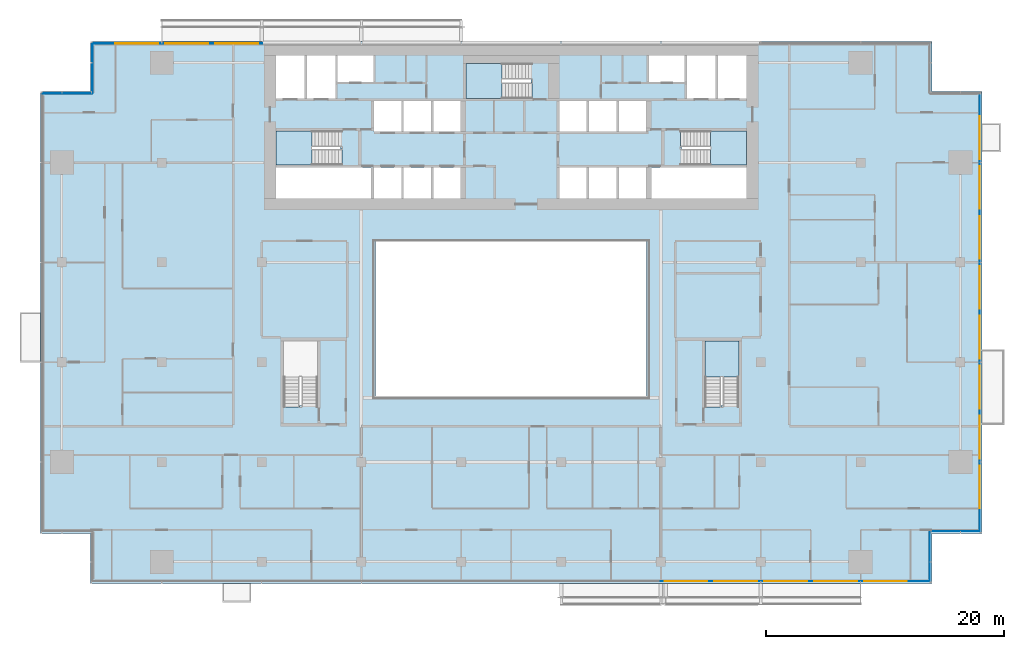
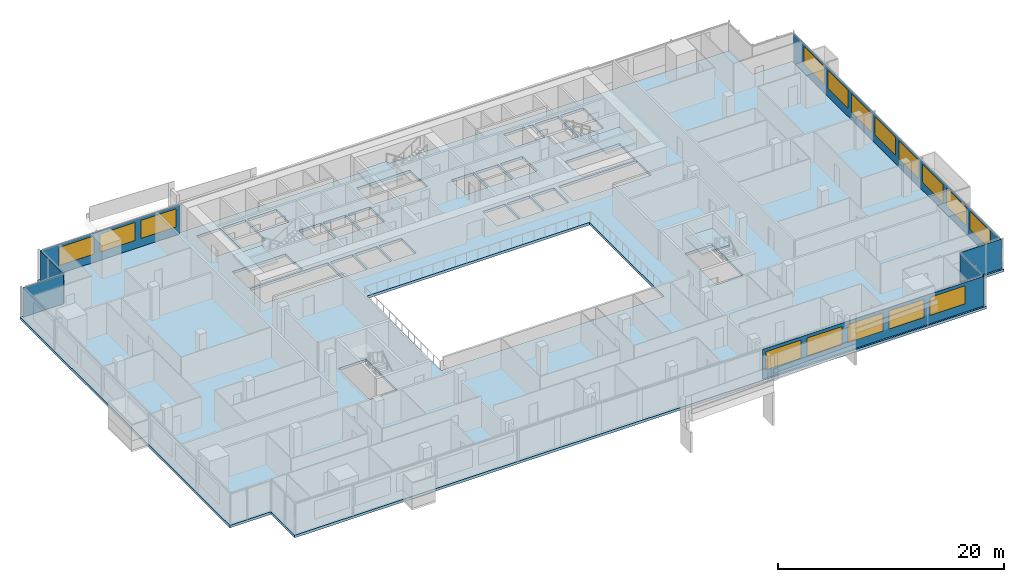
# One storey, part 15 of 27: 16 windows, 7 plates, 5 slabs, 16 openings, 11 elements without a shape of their own.
"""IFC4 building model written with IfcOpenShell, lengths in metres."""

from ifc_helpers import new_model, si_unit, direction, frame, frame_2d, origin, place, context, subcontext, project, spatial, polyline, rectangle, outline, extrude, material, layer, layer_set, type_object, element, fill, aggregate, save


model = new_model("IFC4")

# Units and contexts
model_context = context("Model", 3, precision=1e-05, world=origin(), true_north=direction((0.0, 1.0)))
body_context = subcontext(model_context, "Body", "Model", "MODEL_VIEW")
ifc_project = project(units=[si_unit("LENGTHUNIT", "METRE"), si_unit("AREAUNIT", "SQUARE_METRE"), si_unit("VOLUMEUNIT", "CUBIC_METRE"), si_unit("PLANEANGLEUNIT", "RADIAN"), si_unit("MASSUNIT", "GRAM", prefix="KILO")], contexts=[model_context])

# Site, building, storey
site_placement = place(None, origin())
site = spatial("IfcSite", under=ifc_project, at=site_placement, CompositionType="ELEMENT")
building_placement = place(site_placement, origin())
building = spatial("IfcBuilding", under=site, at=building_placement, Name="Saffron Gate Tower", CompositionType="ELEMENT")
storey_placement = place(building_placement, frame((0.0, 0.0, 124.050048828125)))
storey = spatial("IfcBuildingStorey", under=building, at=storey_placement, Name="L29", CompositionType="ELEMENT", Elevation=124.050048828125)

# Curtain wall, plate, openings, windows
ifc_material_1 = material(Name="Aluminium, bronze anodised", Category="aluminium")
curtain_wall_type_1 = type_object("IfcCurtainWallType", Name="CWS1 curtain wall front facade", PredefinedType="NOTDEFINED", material=ifc_material_1)
curtain_wall_1_placement = place(storey_placement, origin())
curtain_wall_1 = element("IfcCurtainWall", 1, at=curtain_wall_1_placement, inside=storey, type_object=curtain_wall_type_1, Name="CWS1 run 1", PredefinedType="NOTDEFINED")
ifc_material_2 = material(Name="Fritted bronze-tinted laminated glass", Category="glass")
ifc_layer_1 = layer(ifc_material_2, 0.028076171875)
ifc_layer_set_1 = layer_set([ifc_layer_1], Name="CWS1 fixed glass")
plate_type_1 = type_object("IfcPlateType", Name="CWS1 fixed glass", PredefinedType="CURTAIN_PANEL", material=ifc_layer_set_1)
plate_1_placement = place(storey_placement, frame((100.169921875, 30.174072265625, 0.0), z_axis=(0.0, 0.0, 1.0), x_axis=(1.0, 0.0, 0.0)))
plate_1 = element("IfcPlate", 2, at=plate_1_placement, type_object=plate_type_1, Name="CWS1 glass panel", PredefinedType="CURTAIN_PANEL", context=body_context, shape_type="SweptSolid", body=[
    extrude(rectangle(XDim=22.64208984375, YDim=0.028076171875, at=frame_2d((11.321044921875, 0.0))), origin(), (0.0, 0.0, 1.0), 3.199951171875),
])
opening_1_placement = place(plate_1_placement, frame((0.330078125, 0.0, 0.89990234375)))
opening_1 = element("IfcOpeningElement", 3, at=opening_1_placement, cuts=plate_1, Name="Opening W1", PredefinedType="OPENING", context=body_context, shape_type="SweptSolid", body=[
    extrude(rectangle(XDim=3.60009765625, YDim=1.949951171875, at=frame_2d((1.800048828125, 0.97509765625))), frame((0.0, 0.02392578125, 0.0), z_axis=(0.0, -1.0, 0.0), x_axis=(1.0, 0.0, 0.0)), (0.0, 0.0, 1.0), 0.048095703125),
])
opening_2_placement = place(plate_1_placement, frame((4.530029296875, 0.0, 0.89990234375)))
opening_2 = element("IfcOpeningElement", 4, at=opening_2_placement, cuts=plate_1, Name="Opening W1", PredefinedType="OPENING", context=body_context, shape_type="SweptSolid", body=[
    extrude(rectangle(XDim=3.60009765625, YDim=1.949951171875, at=frame_2d((1.800048828125, 0.97509765625))), frame((0.0, 0.02392578125, 0.0), z_axis=(0.0, -1.0, 0.0), x_axis=(1.0, 0.0, 0.0)), (0.0, 0.0, 1.0), 0.048095703125),
])
opening_3_placement = place(plate_1_placement, frame((8.72998046875, 0.0, 0.89990234375)))
opening_3 = element("IfcOpeningElement", 5, at=opening_3_placement, cuts=plate_1, Name="Opening W1", PredefinedType="OPENING", context=body_context, shape_type="SweptSolid", body=[
    extrude(rectangle(XDim=3.60009765625, YDim=1.949951171875, at=frame_2d((1.800048828125, 0.97509765625))), frame((0.0, 0.02392578125, 0.0), z_axis=(0.0, -1.0, 0.0), x_axis=(1.0, 0.0, 0.0)), (0.0, 0.0, 1.0), 0.048095703125),
])
opening_4_placement = place(plate_1_placement, frame((12.929931640625, 0.0, 0.89990234375)))
opening_4 = element("IfcOpeningElement", 6, at=opening_4_placement, cuts=plate_1, Name="Opening W1", PredefinedType="OPENING", context=body_context, shape_type="SweptSolid", body=[
    extrude(rectangle(XDim=3.60009765625, YDim=1.949951171875, at=frame_2d((1.800048828125, 0.97509765625))), frame((0.0, 0.02392578125, 0.0), z_axis=(0.0, -1.0, 0.0), x_axis=(1.0, 0.0, 0.0)), (0.0, 0.0, 1.0), 0.048095703125),
])
opening_5_placement = place(plate_1_placement, frame((17.1298828125, 0.0, 0.89990234375)))
opening_5 = element("IfcOpeningElement", 7, at=opening_5_placement, cuts=plate_1, Name="Opening W1", PredefinedType="OPENING", context=body_context, shape_type="SweptSolid", body=[
    extrude(rectangle(XDim=3.60009765625, YDim=1.949951171875, at=frame_2d((1.800048828125, 0.97509765625))), frame((0.0, 0.02392578125, 0.0), z_axis=(0.0, -1.0, 0.0), x_axis=(1.0, 0.0, 0.0)), (0.0, 0.0, 1.0), 0.048095703125),
])
ifc_material_3 = material(Name="Fritted bronze-tinted laminated glass in bronze frame", Category="glass")
ifc_layer_2 = layer(ifc_material_3, 0.06005859375)
ifc_layer_set_2 = layer_set([ifc_layer_2], Name="W1 operable panel 3600x1950")
window_type = type_object("IfcWindowType", Name="W1 operable panel 3600x1950", PartitioningType="DOUBLE_PANEL_HORIZONTAL", PredefinedType="WINDOW", material=ifc_layer_set_2)
window_1_placement = place(opening_1_placement, origin())
window_1 = element("IfcWindow", 8, at=window_1_placement, type_object=window_type, Name="W1 operable panel", OverallHeight=1.949951171875, OverallWidth=3.60009765625, PartitioningType="SINGLE_PANEL", PredefinedType="WINDOW", context=body_context, shape_type="SweptSolid", body=[
    extrude(rectangle(XDim=3.60009765625, YDim=1.949951171875, at=frame_2d((1.800048828125, 0.97509765625))), frame((0.0, 0.013671875, 0.0), z_axis=(0.0, -1.0, 0.0), x_axis=(1.0, 0.0, 0.0)), (0.0, 0.0, 1.0), 0.027587890625),
])
fill(opening_1, window_1)
window_2_placement = place(opening_2_placement, origin())
window_2 = element("IfcWindow", 9, at=window_2_placement, type_object=window_type, Name="W1 operable panel", OverallHeight=1.949951171875, OverallWidth=3.60009765625, PartitioningType="SINGLE_PANEL", PredefinedType="WINDOW", context=body_context, shape_type="SweptSolid", body=[
    extrude(rectangle(XDim=3.60009765625, YDim=1.949951171875, at=frame_2d((1.800048828125, 0.97509765625))), frame((0.0, 0.013671875, 0.0), z_axis=(0.0, -1.0, 0.0), x_axis=(1.0, 0.0, 0.0)), (0.0, 0.0, 1.0), 0.027587890625),
])
fill(opening_2, window_2)
window_3_placement = place(opening_3_placement, origin())
window_3 = element("IfcWindow", 10, at=window_3_placement, type_object=window_type, Name="W1 operable panel", OverallHeight=1.949951171875, OverallWidth=3.60009765625, PartitioningType="SINGLE_PANEL", PredefinedType="WINDOW", context=body_context, shape_type="SweptSolid", body=[
    extrude(rectangle(XDim=3.60009765625, YDim=1.949951171875, at=frame_2d((1.800048828125, 0.97509765625))), frame((0.0, 0.013671875, 0.0), z_axis=(0.0, -1.0, 0.0), x_axis=(1.0, 0.0, 0.0)), (0.0, 0.0, 1.0), 0.027587890625),
])
fill(opening_3, window_3)
window_4_placement = place(opening_4_placement, origin())
window_4 = element("IfcWindow", 11, at=window_4_placement, type_object=window_type, Name="W1 operable panel", OverallHeight=1.949951171875, OverallWidth=3.60009765625, PartitioningType="SINGLE_PANEL", PredefinedType="WINDOW", context=body_context, shape_type="SweptSolid", body=[
    extrude(rectangle(XDim=3.60009765625, YDim=1.949951171875, at=frame_2d((1.800048828125, 0.97509765625))), frame((0.0, 0.013671875, 0.0), z_axis=(0.0, -1.0, 0.0), x_axis=(1.0, 0.0, 0.0)), (0.0, 0.0, 1.0), 0.027587890625),
])
fill(opening_4, window_4)
window_5_placement = place(opening_5_placement, origin())
window_5 = element("IfcWindow", 12, at=window_5_placement, type_object=window_type, Name="W1 operable panel", OverallHeight=1.949951171875, OverallWidth=3.60009765625, PartitioningType="SINGLE_PANEL", PredefinedType="WINDOW", context=body_context, shape_type="SweptSolid", body=[
    extrude(rectangle(XDim=3.60009765625, YDim=1.949951171875, at=frame_2d((1.800048828125, 0.97509765625))), frame((0.0, 0.013671875, 0.0), z_axis=(0.0, -1.0, 0.0), x_axis=(1.0, 0.0, 0.0)), (0.0, 0.0, 1.0), 0.027587890625),
])
fill(opening_5, window_5)
aggregate(curtain_wall_1, [plate_1, window_1, window_2, window_3, window_4, window_5])

curtain_wall_type_2 = type_object("IfcCurtainWallType", Name="CWS2 curtain wall side facades", PredefinedType="NOTDEFINED", material=ifc_material_1)
curtain_wall_2_placement = place(storey_placement, origin())
curtain_wall_2 = element("IfcCurtainWall", 13, at=curtain_wall_2_placement, inside=storey, type_object=curtain_wall_type_2, Name="CWS2 run 4", PredefinedType="NOTDEFINED")
ifc_layer_3 = layer(ifc_material_2, 0.028076171875)
ifc_layer_set_3 = layer_set([ifc_layer_3], Name="CWS2 fixed glass")
plate_type_2 = type_object("IfcPlateType", Name="CWS2 fixed glass", PredefinedType="CURTAIN_PANEL", material=ifc_layer_set_3)
plate_2_placement = place(storey_placement, frame((127.02587890625, 34.387939453125, 0.0), z_axis=(0.0, 0.0, 1.0), x_axis=(0.0, 1.0, 0.0)))
plate_2 = element("IfcPlate", 14, at=plate_2_placement, type_object=plate_type_2, Name="CWS2 glass panel", PredefinedType="CURTAIN_PANEL", context=body_context, shape_type="SweptSolid", body=[
    extrude(rectangle(XDim=36.823974609375, YDim=0.028076171875, at=frame_2d((18.412109375, 0.0))), origin(), (0.0, 0.0, 1.0), 3.199951171875),
])
opening_6_placement = place(plate_2_placement, frame((1.912109375, 0.0, 0.89990234375)))
opening_6 = element("IfcOpeningElement", 15, at=opening_6_placement, cuts=plate_2, Name="Opening W1", PredefinedType="OPENING", context=body_context, shape_type="SweptSolid", body=[
    extrude(rectangle(XDim=3.60009765625, YDim=1.949951171875, at=frame_2d((1.800048828125, 0.97509765625))), frame((0.0, 0.02392578125, 0.0), z_axis=(0.0, -1.0, 0.0), x_axis=(1.0, 0.0, 0.0)), (0.0, 0.0, 1.0), 0.048095703125),
])
opening_7_placement = place(plate_2_placement, frame((6.112060546875, 0.0, 0.89990234375)))
opening_7 = element("IfcOpeningElement", 16, at=opening_7_placement, cuts=plate_2, Name="Opening W1", PredefinedType="OPENING", context=body_context, shape_type="SweptSolid", body=[
    extrude(rectangle(XDim=3.60009765625, YDim=1.949951171875, at=frame_2d((1.800048828125, 0.97509765625))), frame((0.0, 0.02392578125, 0.0), z_axis=(0.0, -1.0, 0.0), x_axis=(1.0, 0.0, 0.0)), (0.0, 0.0, 1.0), 0.048095703125),
])
opening_8_placement = place(plate_2_placement, frame((10.31201171875, 0.0, 0.89990234375)))
opening_8 = element("IfcOpeningElement", 17, at=opening_8_placement, cuts=plate_2, Name="Opening W1", PredefinedType="OPENING", context=body_context, shape_type="SweptSolid", body=[
    extrude(rectangle(XDim=3.60009765625, YDim=1.949951171875, at=frame_2d((1.800048828125, 0.97509765625))), frame((0.0, 0.02392578125, 0.0), z_axis=(0.0, -1.0, 0.0), x_axis=(1.0, 0.0, 0.0)), (0.0, 0.0, 1.0), 0.048095703125),
])
opening_9_placement = place(plate_2_placement, frame((14.511962890625, 0.0, 0.89990234375)))
opening_9 = element("IfcOpeningElement", 18, at=opening_9_placement, cuts=plate_2, Name="Opening W1", PredefinedType="OPENING", context=body_context, shape_type="SweptSolid", body=[
    extrude(rectangle(XDim=3.60009765625, YDim=1.949951171875, at=frame_2d((1.800048828125, 0.97509765625))), frame((0.0, 0.02392578125, 0.0), z_axis=(0.0, -1.0, 0.0), x_axis=(1.0, 0.0, 0.0)), (0.0, 0.0, 1.0), 0.048095703125),
])
opening_10_placement = place(plate_2_placement, frame((18.7119140625, 0.0, 0.89990234375)))
opening_10 = element("IfcOpeningElement", 19, at=opening_10_placement, cuts=plate_2, Name="Opening W1", PredefinedType="OPENING", context=body_context, shape_type="SweptSolid", body=[
    extrude(rectangle(XDim=3.60009765625, YDim=1.949951171875, at=frame_2d((1.800048828125, 0.97509765625))), frame((0.0, 0.02392578125, 0.0), z_axis=(0.0, -1.0, 0.0), x_axis=(1.0, 0.0, 0.0)), (0.0, 0.0, 1.0), 0.048095703125),
])
opening_11_placement = place(plate_2_placement, frame((22.912109375, 0.0, 0.89990234375)))
opening_11 = element("IfcOpeningElement", 20, at=opening_11_placement, cuts=plate_2, Name="Opening W1", PredefinedType="OPENING", context=body_context, shape_type="SweptSolid", body=[
    extrude(rectangle(XDim=3.60009765625, YDim=1.949951171875, at=frame_2d((1.800048828125, 0.97509765625))), frame((0.0, 0.02392578125, 0.0), z_axis=(0.0, -1.0, 0.0), x_axis=(1.0, 0.0, 0.0)), (0.0, 0.0, 1.0), 0.048095703125),
])
opening_12_placement = place(plate_2_placement, frame((27.112060546875, 0.0, 0.89990234375)))
opening_12 = element("IfcOpeningElement", 21, at=opening_12_placement, cuts=plate_2, Name="Opening W1", PredefinedType="OPENING", context=body_context, shape_type="SweptSolid", body=[
    extrude(rectangle(XDim=3.60009765625, YDim=1.949951171875, at=frame_2d((1.800048828125, 0.97509765625))), frame((0.0, 0.02392578125, 0.0), z_axis=(0.0, -1.0, 0.0), x_axis=(1.0, 0.0, 0.0)), (0.0, 0.0, 1.0), 0.048095703125),
])
opening_13_placement = place(plate_2_placement, frame((31.31201171875, 0.0, 0.89990234375)))
opening_13 = element("IfcOpeningElement", 22, at=opening_13_placement, cuts=plate_2, Name="Opening W1", PredefinedType="OPENING", context=body_context, shape_type="SweptSolid", body=[
    extrude(rectangle(XDim=3.60009765625, YDim=1.949951171875, at=frame_2d((1.800048828125, 0.97509765625))), frame((0.0, 0.02392578125, 0.0), z_axis=(0.0, -1.0, 0.0), x_axis=(1.0, 0.0, 0.0)), (0.0, 0.0, 1.0), 0.048095703125),
])
window_6_placement = place(opening_6_placement, origin())
window_6 = element("IfcWindow", 23, at=window_6_placement, type_object=window_type, Name="W1 operable panel", OverallHeight=1.949951171875, OverallWidth=3.60009765625, PartitioningType="SINGLE_PANEL", PredefinedType="WINDOW", context=body_context, shape_type="SweptSolid", body=[
    extrude(rectangle(XDim=3.60009765625, YDim=1.949951171875, at=frame_2d((1.800048828125, 0.97509765625))), frame((0.0, 0.013671875, 0.0), z_axis=(0.0, -1.0, 0.0), x_axis=(1.0, 0.0, 0.0)), (0.0, 0.0, 1.0), 0.027587890625),
])
fill(opening_6, window_6)
window_7_placement = place(opening_7_placement, origin())
window_7 = element("IfcWindow", 24, at=window_7_placement, type_object=window_type, Name="W1 operable panel", OverallHeight=1.949951171875, OverallWidth=3.60009765625, PartitioningType="SINGLE_PANEL", PredefinedType="WINDOW", context=body_context, shape_type="SweptSolid", body=[
    extrude(rectangle(XDim=3.60009765625, YDim=1.949951171875, at=frame_2d((1.800048828125, 0.97509765625))), frame((0.0, 0.013671875, 0.0), z_axis=(0.0, -1.0, 0.0), x_axis=(1.0, 0.0, 0.0)), (0.0, 0.0, 1.0), 0.027587890625),
])
fill(opening_7, window_7)
window_8_placement = place(opening_8_placement, origin())
window_8 = element("IfcWindow", 25, at=window_8_placement, type_object=window_type, Name="W1 operable panel", OverallHeight=1.949951171875, OverallWidth=3.60009765625, PartitioningType="SINGLE_PANEL", PredefinedType="WINDOW", context=body_context, shape_type="SweptSolid", body=[
    extrude(rectangle(XDim=3.60009765625, YDim=1.949951171875, at=frame_2d((1.800048828125, 0.97509765625))), frame((0.0, 0.013671875, 0.0), z_axis=(0.0, -1.0, 0.0), x_axis=(1.0, 0.0, 0.0)), (0.0, 0.0, 1.0), 0.027587890625),
])
fill(opening_8, window_8)
window_9_placement = place(opening_9_placement, origin())
window_9 = element("IfcWindow", 26, at=window_9_placement, type_object=window_type, Name="W1 operable panel", OverallHeight=1.949951171875, OverallWidth=3.60009765625, PartitioningType="SINGLE_PANEL", PredefinedType="WINDOW", context=body_context, shape_type="SweptSolid", body=[
    extrude(rectangle(XDim=3.60009765625, YDim=1.949951171875, at=frame_2d((1.800048828125, 0.97509765625))), frame((0.0, 0.013671875, 0.0), z_axis=(0.0, -1.0, 0.0), x_axis=(1.0, 0.0, 0.0)), (0.0, 0.0, 1.0), 0.027587890625),
])
fill(opening_9, window_9)
window_10_placement = place(opening_10_placement, origin())
window_10 = element("IfcWindow", 27, at=window_10_placement, type_object=window_type, Name="W1 operable panel", OverallHeight=1.949951171875, OverallWidth=3.60009765625, PartitioningType="SINGLE_PANEL", PredefinedType="WINDOW", context=body_context, shape_type="SweptSolid", body=[
    extrude(rectangle(XDim=3.60009765625, YDim=1.949951171875, at=frame_2d((1.800048828125, 0.97509765625))), frame((0.0, 0.013671875, 0.0), z_axis=(0.0, -1.0, 0.0), x_axis=(1.0, 0.0, 0.0)), (0.0, 0.0, 1.0), 0.027587890625),
])
fill(opening_10, window_10)
window_11_placement = place(opening_11_placement, origin())
window_11 = element("IfcWindow", 28, at=window_11_placement, type_object=window_type, Name="W1 operable panel", OverallHeight=1.949951171875, OverallWidth=3.60009765625, PartitioningType="SINGLE_PANEL", PredefinedType="WINDOW", context=body_context, shape_type="SweptSolid", body=[
    extrude(rectangle(XDim=3.60009765625, YDim=1.949951171875, at=frame_2d((1.800048828125, 0.97509765625))), frame((0.0, 0.013671875, 0.0), z_axis=(0.0, -1.0, 0.0), x_axis=(1.0, 0.0, 0.0)), (0.0, 0.0, 1.0), 0.027587890625),
])
fill(opening_11, window_11)
window_12_placement = place(opening_12_placement, origin())
window_12 = element("IfcWindow", 29, at=window_12_placement, type_object=window_type, Name="W1 operable panel", OverallHeight=1.949951171875, OverallWidth=3.60009765625, PartitioningType="SINGLE_PANEL", PredefinedType="WINDOW", context=body_context, shape_type="SweptSolid", body=[
    extrude(rectangle(XDim=3.60009765625, YDim=1.949951171875, at=frame_2d((1.800048828125, 0.97509765625))), frame((0.0, 0.013671875, 0.0), z_axis=(0.0, -1.0, 0.0), x_axis=(1.0, 0.0, 0.0)), (0.0, 0.0, 1.0), 0.027587890625),
])
fill(opening_12, window_12)
window_13_placement = place(opening_13_placement, origin())
window_13 = element("IfcWindow", 30, at=window_13_placement, type_object=window_type, Name="W1 operable panel", OverallHeight=1.949951171875, OverallWidth=3.60009765625, PartitioningType="SINGLE_PANEL", PredefinedType="WINDOW", context=body_context, shape_type="SweptSolid", body=[
    extrude(rectangle(XDim=3.60009765625, YDim=1.949951171875, at=frame_2d((1.800048828125, 0.97509765625))), frame((0.0, 0.013671875, 0.0), z_axis=(0.0, -1.0, 0.0), x_axis=(1.0, 0.0, 0.0)), (0.0, 0.0, 1.0), 0.027587890625),
])
fill(opening_13, window_13)
aggregate(curtain_wall_2, [plate_2, window_6, window_7, window_8, window_9, window_10, window_11, window_12, window_13])

curtain_wall_type_3 = type_object("IfcCurtainWallType", Name="CWS3 curtain wall rear facade", PredefinedType="NOTDEFINED", material=ifc_material_1)
curtain_wall_3_placement = place(storey_placement, origin())
curtain_wall_3 = element("IfcCurtainWall", 31, at=curtain_wall_3_placement, inside=storey, type_object=curtain_wall_type_3, Name="CWS3 run 7", PredefinedType="NOTDEFINED")
ifc_material_4 = material(Name="Fritted grey-tinted laminated glass", Category="glass")
ifc_layer_4 = layer(ifc_material_4, 0.028076171875)
ifc_layer_set_4 = layer_set([ifc_layer_4], Name="CWS3 fixed glass")
plate_type_3 = type_object("IfcPlateType", Name="CWS3 fixed glass", PredefinedType="CURTAIN_PANEL", material=ifc_layer_set_4)
plate_3_placement = place(storey_placement, frame((66.635009765625, 75.426025390625, 0.0), z_axis=(0.0, 0.0, 1.0), x_axis=(-1.0, 0.0, 0.0)))
plate_3 = element("IfcPlate", 32, at=plate_3_placement, type_object=plate_type_3, Name="CWS3 glass panel", PredefinedType="CURTAIN_PANEL", context=body_context, shape_type="SweptSolid", body=[
    extrude(rectangle(XDim=14.2470703125, YDim=0.028076171875, at=frame_2d((7.12353515625, 0.0))), origin(), (0.0, 0.0, 1.0), 3.199951171875),
])
opening_14_placement = place(plate_3_placement, frame((0.3349609375, 0.0, 0.89990234375)))
opening_14 = element("IfcOpeningElement", 33, at=opening_14_placement, cuts=plate_3, Name="Opening W1", PredefinedType="OPENING", context=body_context, shape_type="SweptSolid", body=[
    extrude(rectangle(XDim=3.60009765625, YDim=1.949951171875, at=frame_2d((1.800048828125, 0.97509765625))), frame((0.0, 0.02392578125, 0.0), z_axis=(0.0, -1.0, 0.0), x_axis=(1.0, 0.0, 0.0)), (0.0, 0.0, 1.0), 0.048095703125),
])
opening_15_placement = place(plate_3_placement, frame((4.534912109375, 0.0, 0.89990234375)))
opening_15 = element("IfcOpeningElement", 34, at=opening_15_placement, cuts=plate_3, Name="Opening W1", PredefinedType="OPENING", context=body_context, shape_type="SweptSolid", body=[
    extrude(rectangle(XDim=3.60009765625, YDim=1.949951171875, at=frame_2d((1.800048828125, 0.97509765625))), frame((0.0, 0.02392578125, 0.0), z_axis=(0.0, -1.0, 0.0), x_axis=(1.0, 0.0, 0.0)), (0.0, 0.0, 1.0), 0.048095703125),
])
opening_16_placement = place(plate_3_placement, frame((8.735107421875, 0.0, 0.89990234375)))
opening_16 = element("IfcOpeningElement", 35, at=opening_16_placement, cuts=plate_3, Name="Opening W1", PredefinedType="OPENING", context=body_context, shape_type="SweptSolid", body=[
    extrude(rectangle(XDim=3.60009765625, YDim=1.949951171875, at=frame_2d((1.800048828125, 0.97509765625))), frame((0.0, 0.02392578125, 0.0), z_axis=(0.0, -1.0, 0.0), x_axis=(1.0, 0.0, 0.0)), (0.0, 0.0, 1.0), 0.048095703125),
])
window_14_placement = place(opening_14_placement, origin())
window_14 = element("IfcWindow", 36, at=window_14_placement, type_object=window_type, Name="W1 operable panel", OverallHeight=1.949951171875, OverallWidth=3.60009765625, PartitioningType="SINGLE_PANEL", PredefinedType="WINDOW", context=body_context, shape_type="SweptSolid", body=[
    extrude(rectangle(XDim=3.60009765625, YDim=1.949951171875, at=frame_2d((1.800048828125, 0.97509765625))), frame((0.0, 0.013671875, 0.0), z_axis=(0.0, -1.0, 0.0), x_axis=(1.0, 0.0, 0.0)), (0.0, 0.0, 1.0), 0.027587890625),
])
fill(opening_14, window_14)
window_15_placement = place(opening_15_placement, origin())
window_15 = element("IfcWindow", 37, at=window_15_placement, type_object=window_type, Name="W1 operable panel", OverallHeight=1.949951171875, OverallWidth=3.60009765625, PartitioningType="SINGLE_PANEL", PredefinedType="WINDOW", context=body_context, shape_type="SweptSolid", body=[
    extrude(rectangle(XDim=3.60009765625, YDim=1.949951171875, at=frame_2d((1.800048828125, 0.97509765625))), frame((0.0, 0.013671875, 0.0), z_axis=(0.0, -1.0, 0.0), x_axis=(1.0, 0.0, 0.0)), (0.0, 0.0, 1.0), 0.027587890625),
])
fill(opening_15, window_15)
window_16_placement = place(opening_16_placement, origin())
window_16 = element("IfcWindow", 38, at=window_16_placement, type_object=window_type, Name="W1 operable panel", OverallHeight=1.949951171875, OverallWidth=3.60009765625, PartitioningType="SINGLE_PANEL", PredefinedType="WINDOW", context=body_context, shape_type="SweptSolid", body=[
    extrude(rectangle(XDim=3.60009765625, YDim=1.949951171875, at=frame_2d((1.800048828125, 0.97509765625))), frame((0.0, 0.013671875, 0.0), z_axis=(0.0, -1.0, 0.0), x_axis=(1.0, 0.0, 0.0)), (0.0, 0.0, 1.0), 0.027587890625),
])
fill(opening_16, window_16)
aggregate(curtain_wall_3, [plate_3, window_14, window_15, window_16])

# Curtain wall, plate
curtain_wall_type_4 = type_object("IfcCurtainWallType", Name="CWS4 curtain wall corner returns", PredefinedType="NOTDEFINED", material=ifc_material_1)
curtain_wall_4_placement = place(storey_placement, origin())
curtain_wall_4 = element("IfcCurtainWall", 39, at=curtain_wall_4_placement, inside=storey, type_object=curtain_wall_type_4, Name="CWS4 run 2", PredefinedType="NOTDEFINED")
ifc_layer_5 = layer(ifc_material_2, 0.028076171875)
ifc_layer_set_5 = layer_set([ifc_layer_5], Name="CWS4 fixed glass")
plate_type_4 = type_object("IfcPlateType", Name="CWS4 fixed glass", PredefinedType="CURTAIN_PANEL", material=ifc_layer_set_5)
plate_4_placement = place(storey_placement, frame((122.825927734375, 30.18798828125, 0.0), z_axis=(0.0, 0.0, 1.0), x_axis=(0.0, 1.0, 0.0)))
plate_4 = element("IfcPlate", 40, at=plate_4_placement, type_object=plate_type_4, Name="CWS4 glass panel", PredefinedType="CURTAIN_PANEL", context=body_context, shape_type="SweptSolid", body=[
    extrude(rectangle(XDim=4.172119140625, YDim=0.028076171875, at=frame_2d((2.0859375, 0.0))), origin(), (0.0, 0.0, 1.0), 3.199951171875),
])
aggregate(curtain_wall_4, [plate_4])

curtain_wall_5_placement = place(storey_placement, origin())
curtain_wall_5 = element("IfcCurtainWall", 41, at=curtain_wall_5_placement, inside=storey, type_object=curtain_wall_type_4, Name="CWS4 run 3", PredefinedType="NOTDEFINED")
plate_5_placement = place(storey_placement, frame((122.840087890625, 34.3740234375, 0.0), z_axis=(0.0, 0.0, 1.0), x_axis=(1.0, 0.0, 0.0)))
plate_5 = element("IfcPlate", 42, at=plate_5_placement, type_object=plate_type_4, Name="CWS4 glass panel", PredefinedType="CURTAIN_PANEL", context=body_context, shape_type="SweptSolid", body=[
    extrude(rectangle(XDim=4.171875, YDim=0.028076171875, at=frame_2d((2.0859375, 0.0))), origin(), (0.0, 0.0, 1.0), 3.199951171875),
])
aggregate(curtain_wall_5, [plate_5])

curtain_wall_6_placement = place(storey_placement, origin())
curtain_wall_6 = element("IfcCurtainWall", 43, at=curtain_wall_6_placement, inside=storey, type_object=curtain_wall_type_4, Name="CWS4 run 8", PredefinedType="NOTDEFINED")
plate_6_placement = place(storey_placement, frame((52.3740234375, 75.412109375, 0.0), z_axis=(0.0, 0.0, 1.0), x_axis=(0.0, -1.0, 0.0)))
plate_6 = element("IfcPlate", 44, at=plate_6_placement, type_object=plate_type_4, Name="CWS4 glass panel", PredefinedType="CURTAIN_PANEL", context=body_context, shape_type="SweptSolid", body=[
    extrude(rectangle(XDim=4.172119140625, YDim=0.028076171875, at=frame_2d((2.0859375, 0.0))), origin(), (0.0, 0.0, 1.0), 3.199951171875),
])
aggregate(curtain_wall_6, [plate_6])

curtain_wall_7_placement = place(storey_placement, origin())
curtain_wall_7 = element("IfcCurtainWall", 45, at=curtain_wall_7_placement, inside=storey, type_object=curtain_wall_type_4, Name="CWS4 run 9", PredefinedType="NOTDEFINED")
plate_7_placement = place(storey_placement, frame((52.360107421875, 71.22607421875, 0.0), z_axis=(0.0, 0.0, 1.0), x_axis=(-1.0, 0.0, 0.0)))
plate_7 = element("IfcPlate", 46, at=plate_7_placement, type_object=plate_type_4, Name="CWS4 glass panel", PredefinedType="CURTAIN_PANEL", context=body_context, shape_type="SweptSolid", body=[
    extrude(rectangle(XDim=4.172119140625, YDim=0.028076171875, at=frame_2d((2.0859375, 0.0))), origin(), (0.0, 0.0, 1.0), 3.199951171875),
])
aggregate(curtain_wall_7, [plate_7])

# Slab
ifc_material_5 = material(Name="Concrete C40", Category="concrete")
ifc_layer_6 = layer(ifc_material_5, 0.280029296875)
ifc_layer_set_6 = layer_set([ifc_layer_6], Name="S2 FLOOR SLAB 280 CONCRETE C40")
slab_type_1 = type_object("IfcSlabType", Name="S2 FLOOR SLAB 280 CONCRETE C40", PredefinedType="FLOOR", material=ifc_layer_set_6)
slab_1_placement = place(storey_placement, frame((0.0, 0.0, -0.280029296875)))
element("IfcSlab", 47, at=slab_1_placement, inside=storey, type_object=slab_type_1, Name="S2 FLOOR SLAB", PredefinedType="FLOOR", context=body_context, shape_type="SweptSolid", body=[
    extrude(outline(polyline([(48.0, 34.199951171875), (52.199951171875, 34.199951171875), (52.199951171875, 30.0), (123.0, 30.0), (123.0, 34.199951171875), (127.199951171875, 34.199951171875), (127.199951171875, 71.39990234375), (123.0, 71.39990234375), (123.0, 75.60009765625), (52.199951171875, 75.60009765625), (52.199951171875, 71.39990234375), (48.0, 71.39990234375), (48.0, 34.199951171875)]), holes=[polyline([(67.800048828125, 62.39990234375), (67.800048828125, 65.0), (75.800048828125, 65.0), (75.800048828125, 62.39990234375), (67.800048828125, 62.39990234375)]), polyline([(67.800048828125, 65.199951171875), (67.800048828125, 68.050048828125), (73.25, 68.050048828125), (73.25, 66.550048828125), (73.34912109375, 66.550048828125), (73.34912109375, 65.199951171875), (67.800048828125, 65.199951171875)]), polyline([(67.800048828125, 70.800048828125), (67.800048828125, 74.39990234375), (70.199951171875, 74.39990234375), (70.199951171875, 70.800048828125), (67.800048828125, 70.800048828125)]), polyline([(68.449951171875, 44.85107421875), (68.449951171875, 50.39990234375), (71.300048828125, 50.39990234375), (71.300048828125, 44.949951171875), (69.800048828125, 44.949951171875), (69.800048828125, 44.85107421875), (68.449951171875, 44.85107421875)]), polyline([(70.39990234375, 70.800048828125), (70.39990234375, 74.39990234375), (72.800048828125, 74.39990234375), (72.800048828125, 70.800048828125), (70.39990234375, 70.800048828125)]), polyline([(73.0, 72.199951171875), (73.0, 74.39990234375), (76.0, 74.39990234375), (76.0, 72.199951171875), (73.0, 72.199951171875)]), polyline([(76.050048828125, 62.39990234375), (76.050048828125, 65.0), (78.35009765625, 65.0), (78.35009765625, 62.39990234375), (76.050048828125, 62.39990234375)]), polyline([(76.050048828125, 68.0), (76.050048828125, 70.60009765625), (78.35009765625, 70.60009765625), (78.35009765625, 68.0), (76.050048828125, 68.0)]), polyline([(76.199951171875, 45.60009765625), (76.199951171875, 58.800048828125), (99.0, 58.800048828125), (99.0, 45.60009765625), (76.199951171875, 45.60009765625)]), polyline([(78.550048828125, 62.39990234375), (78.550048828125, 65.0), (80.85009765625, 65.0), (80.85009765625, 62.39990234375), (78.550048828125, 62.39990234375)]), polyline([(78.550048828125, 68.0), (78.550048828125, 70.60009765625), (80.85009765625, 70.60009765625), (80.85009765625, 68.0), (78.550048828125, 68.0)]), polyline([(81.050048828125, 62.39990234375), (81.050048828125, 65.0), (83.35009765625, 65.0), (83.35009765625, 62.39990234375), (81.050048828125, 62.39990234375)]), polyline([(81.050048828125, 68.0), (81.050048828125, 70.60009765625), (83.35009765625, 70.60009765625), (83.35009765625, 68.0), (81.050048828125, 68.0)]), polyline([(83.800048828125, 70.800048828125), (83.800048828125, 73.75), (89.25, 73.75), (89.25, 72.14990234375), (89.34912109375, 72.14990234375), (89.34912109375, 70.800048828125), (83.800048828125, 70.800048828125)]), polyline([(91.64990234375, 62.39990234375), (91.64990234375, 65.0), (93.949951171875, 65.0), (93.949951171875, 62.39990234375), (91.64990234375, 62.39990234375)]), polyline([(91.64990234375, 68.0), (91.64990234375, 70.60009765625), (93.949951171875, 70.60009765625), (93.949951171875, 68.0), (91.64990234375, 68.0)]), polyline([(94.14990234375, 62.39990234375), (94.14990234375, 65.0), (96.449951171875, 65.0), (96.449951171875, 62.39990234375), (94.14990234375, 62.39990234375)]), polyline([(94.14990234375, 68.0), (94.14990234375, 70.60009765625), (96.449951171875, 70.60009765625), (96.449951171875, 68.0), (94.14990234375, 68.0)]), polyline([(96.64990234375, 62.39990234375), (96.64990234375, 65.0), (98.949951171875, 65.0), (98.949951171875, 62.39990234375), (96.64990234375, 62.39990234375)]), polyline([(96.64990234375, 68.0), (96.64990234375, 70.60009765625), (98.949951171875, 70.60009765625), (98.949951171875, 68.0), (96.64990234375, 68.0)]), polyline([(99.199951171875, 72.199951171875), (99.199951171875, 74.39990234375), (102.199951171875, 74.39990234375), (102.199951171875, 72.199951171875), (99.199951171875, 72.199951171875)]), polyline([(99.39990234375, 62.39990234375), (99.39990234375, 65.0), (107.39990234375, 65.0), (107.39990234375, 62.39990234375), (99.39990234375, 62.39990234375)]), polyline([(101.85107421875, 66.699951171875), (101.85107421875, 68.050048828125), (107.39990234375, 68.050048828125), (107.39990234375, 65.199951171875), (101.949951171875, 65.199951171875), (101.949951171875, 66.699951171875), (101.85107421875, 66.699951171875)]), polyline([(102.39990234375, 70.800048828125), (102.39990234375, 74.39990234375), (104.800048828125, 74.39990234375), (104.800048828125, 70.800048828125), (102.39990234375, 70.800048828125)]), polyline([(103.89990234375, 44.85107421875), (103.89990234375, 50.39990234375), (106.75, 50.39990234375), (106.75, 44.949951171875), (105.25, 44.949951171875), (105.25, 44.85107421875), (103.89990234375, 44.85107421875)]), polyline([(105.0, 70.800048828125), (105.0, 74.39990234375), (107.39990234375, 74.39990234375), (107.39990234375, 70.800048828125), (105.0, 70.800048828125)])]), origin(), (0.0, 0.0, 1.0), 0.280029296875),
])

# Stair, slab
stair_type = type_object("IfcStairType", Name="ST7 Stair 1350 wide, 20 risers of 180", PredefinedType="HALF_TURN_STAIR", material=ifc_material_5)
stair_1_placement = place(storey_placement, origin())
stair_1 = element("IfcStair", 48, at=stair_1_placement, inside=storey, type_object=stair_type, Name="L29 Exit stair A", PredefinedType="HALF_TURN_STAIR")
ifc_layer_7 = layer(ifc_material_5, 0.199951171875)
ifc_layer_set_7 = layer_set([ifc_layer_7], Name="SL1 Stair landing 200")
slab_type_2 = type_object("IfcSlabType", Name="SL1 Stair landing 200", PredefinedType="LANDING", material=ifc_layer_set_7)
slab_2_placement = place(storey_placement, frame((0.0, 0.0, 1.599853515625)))
slab_2 = element("IfcSlab", 49, at=slab_2_placement, type_object=slab_type_2, Name="ST-A landing 1", PredefinedType="LANDING", context=body_context, shape_type="SweptSolid", body=[
    extrude(outline(polyline([(70.830078125, 68.050048828125), (67.800048828125, 68.050048828125), (67.800048828125, 65.199951171875), (70.830078125, 65.199951171875), (70.830078125, 68.050048828125)])), origin(), (0.0, 0.0, 1.0), 0.2001953125),
])
aggregate(stair_1, [slab_2])

stair_2_placement = place(storey_placement, origin())
stair_2 = element("IfcStair", 50, at=stair_2_placement, inside=storey, type_object=stair_type, Name="L29 Exit stair B", PredefinedType="HALF_TURN_STAIR")
slab_3_placement = place(storey_placement, frame((0.0, 0.0, 1.599853515625)))
slab_3 = element("IfcSlab", 51, at=slab_3_placement, type_object=slab_type_2, Name="ST-B landing 1", PredefinedType="LANDING", context=body_context, shape_type="SweptSolid", body=[
    extrude(outline(polyline([(104.3701171875, 65.199951171875), (107.39990234375, 65.199951171875), (107.39990234375, 68.050048828125), (104.3701171875, 68.050048828125), (104.3701171875, 65.199951171875)])), origin(), (0.0, 0.0, 1.0), 0.2001953125),
])
aggregate(stair_2, [slab_3])

stair_3_placement = place(storey_placement, origin())
stair_3 = element("IfcStair", 52, at=stair_3_placement, inside=storey, type_object=stair_type, Name="L29 Exit stair C", PredefinedType="HALF_TURN_STAIR")
slab_4_placement = place(storey_placement, frame((0.0, 0.0, 1.599853515625)))
slab_4 = element("IfcSlab", 53, at=slab_4_placement, type_object=slab_type_2, Name="ST-C landing 1", PredefinedType="LANDING", context=body_context, shape_type="SweptSolid", body=[
    extrude(outline(polyline([(86.830078125, 73.75), (83.800048828125, 73.75), (83.800048828125, 70.800048828125), (86.830078125, 70.800048828125), (86.830078125, 73.75)])), origin(), (0.0, 0.0, 1.0), 0.2001953125),
])
aggregate(stair_3, [slab_4])

stair_4_placement = place(storey_placement, origin())
stair_4 = element("IfcStair", 54, at=stair_4_placement, inside=storey, type_object=stair_type, Name="L29 Exit stair E", PredefinedType="HALF_TURN_STAIR")
slab_5_placement = place(storey_placement, frame((0.0, 0.0, 1.599853515625)))
slab_5 = element("IfcSlab", 55, at=slab_5_placement, type_object=slab_type_2, Name="ST-E landing 1", PredefinedType="LANDING", context=body_context, shape_type="SweptSolid", body=[
    extrude(outline(polyline([(106.75, 47.3701171875), (106.75, 50.39990234375), (103.89990234375, 50.39990234375), (103.89990234375, 47.3701171875), (106.75, 47.3701171875)])), origin(), (0.0, 0.0, 1.0), 0.2001953125),
])
aggregate(stair_4, [slab_5])

save(model, "model.ifc")
